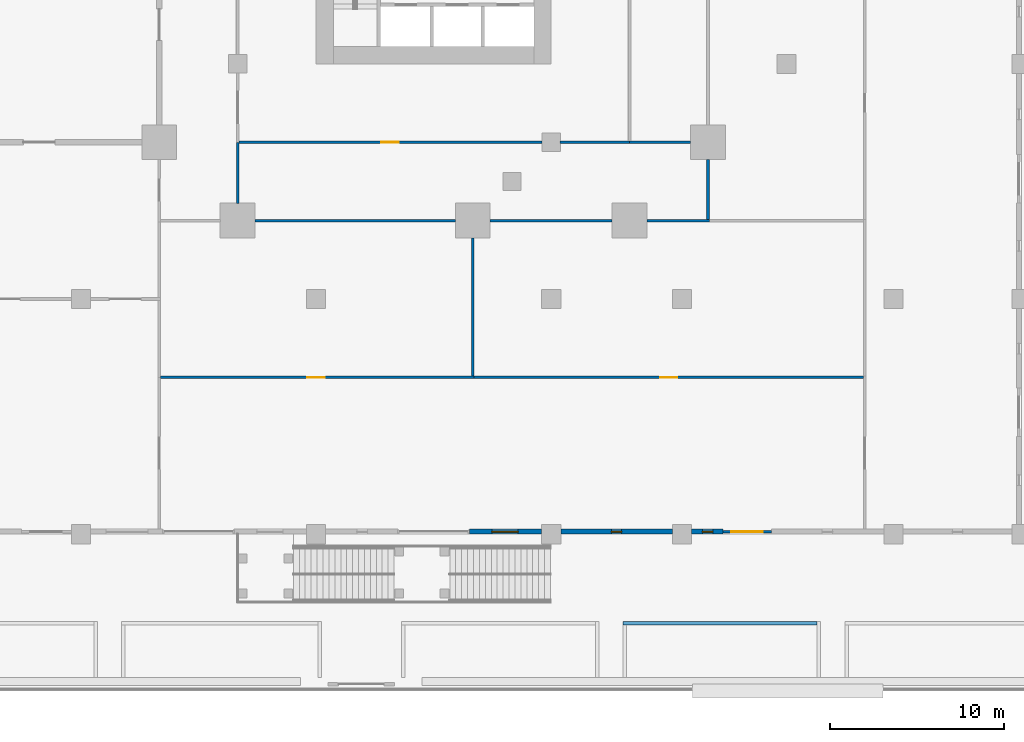
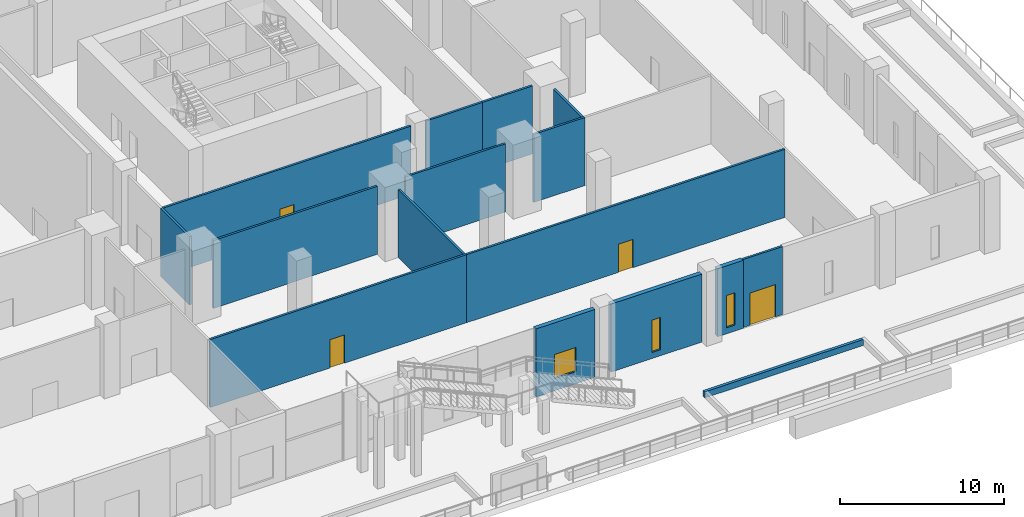
# One storey, part 29 of 47: 16 walls, 4 doors, 3 windows, 7 openings.
"""IFC4 building model written with IfcOpenShell, lengths in metres."""

from ifc_helpers import new_model, si_unit, direction, frame, frame_2d, origin, place, context, subcontext, project, spatial, rectangle, extrude, material, layer, layer_set, type_object, element, fill, save


model = new_model("IFC4")

# Units and contexts
model_context = context("Model", 3, precision=1e-05, world=origin(), true_north=direction((0.0, 1.0)))
body_context = subcontext(model_context, "Body", "Model", "MODEL_VIEW")
ifc_project = project(units=[si_unit("LENGTHUNIT", "METRE"), si_unit("AREAUNIT", "SQUARE_METRE"), si_unit("VOLUMEUNIT", "CUBIC_METRE"), si_unit("PLANEANGLEUNIT", "RADIAN"), si_unit("MASSUNIT", "GRAM", prefix="KILO")], contexts=[model_context])

# Site, building, storey
site_placement = place(None, origin())
site = spatial("IfcSite", under=ifc_project, at=site_placement, CompositionType="ELEMENT")
building_placement = place(site_placement, origin())
building = spatial("IfcBuilding", under=site, at=building_placement, Name="Altepetl Exchange Towers", CompositionType="ELEMENT")
storey_placement = place(building_placement, frame((0.0, 0.0, 6.0)))
storey = spatial("IfcBuildingStorey", under=building, at=storey_placement, Name="L01 Retail podium", CompositionType="ELEMENT", Elevation=6.0)

# Wall, opening, door
ifc_material_1 = material(Name="Aluminium composite cladding", Category="aluminium")
ifc_layer_1 = layer(ifc_material_1, 0.14990234375)
ifc_layer_set_1 = layer_set([ifc_layer_1], Name="Aluminium composite cladding")
wall_type_1 = type_object("IfcWallType", Name="Infill wall 150 aluminium panel", PredefinedType="SOLIDWALL", material=ifc_layer_set_1)
wall_1_placement = place(storey_placement, frame((126.85009765625, 9.14990234375, 0.0)))
wall_1 = element("IfcWall", 1, at=wall_1_placement, inside=storey, type_object=wall_type_1, Name="Door bay wall", PredefinedType="SOLIDWALL", context=body_context, shape_type="SweptSolid", body=[
    extrude(rectangle(XDim=2.7998046875, YDim=0.14990234375, at=frame_2d((1.39990234375, 0.0))), origin(), (0.0, 0.0, 1.0), 5.050048828125),
])
opening_1_placement = place(wall_1_placement, frame((0.5, 0.0, 0.0)))
opening_1 = element("IfcOpeningElement", 2, at=opening_1_placement, cuts=wall_1, Name="Opening L01.E21", PredefinedType="OPENING", context=body_context, shape_type="SweptSolid", body=[
    extrude(rectangle(XDim=1.800048828125, YDim=2.39990234375, at=frame_2d((0.89990234375, 1.199951171875))), frame((0.0, 0.0849609375, 0.0), z_axis=(0.0, -1.0, 0.0), x_axis=(1.0, 0.0, 0.0)), (0.0, 0.0, 1.0), 0.169921875),
])
ifc_material_2 = material(Name="Aluminium 6063-T6 and glass", Category="aluminium")
door_type_1 = type_object("IfcDoorType", Name="Glazed door pair 1800x2400", OperationType="DOUBLE_DOOR_DOUBLE_SWING", PredefinedType="NOTDEFINED", material=ifc_material_2)
door_1_placement = place(opening_1_placement, frame((1.800048828125, 0.0, 0.0), x_axis=(-1.0, 0.0, 0.0)))
door_1 = element("IfcDoor", 3, at=door_1_placement, inside=storey, type_object=door_type_1, Name="Terrace door", OperationType="DOUBLE_DOOR_DOUBLE_SWING", OverallHeight=2.39990234375, OverallWidth=1.800048828125, PredefinedType="NOTDEFINED", context=body_context, shape_type="SweptSolid", body=[
    extrude(rectangle(XDim=1.800048828125, YDim=2.39990234375, at=frame_2d((0.89990234375, 1.199951171875))), frame((0.0, 0.02490234375, 0.0), z_axis=(0.0, -1.0, 0.0), x_axis=(1.0, 0.0, 0.0)), (0.0, 0.0, 1.0), 0.050048828125),
])
fill(opening_1, door_1)

# Wall
ifc_material_3 = material(Name="Reinforced concrete C35/45", Category="concrete")
ifc_layer_2 = layer(ifc_material_3, 0.199951171875)
ifc_layer_set_2 = layer_set([ifc_layer_2], Name="Reinforced concrete C35/45")
wall_type_2 = type_object("IfcWallType", Name="Planting bed curb 200", PredefinedType="SOLIDWALL", material=ifc_layer_set_2)
wall_2_placement = place(storey_placement, frame((121.13330078125, 3.875, 0.0)))
element("IfcWall", 4, at=wall_2_placement, inside=storey, type_object=wall_type_2, Name="wall:P:L01:CB02n", PredefinedType="SOLIDWALL", context=body_context, shape_type="SweptSolid", body=[
    extrude(rectangle(XDim=11.13330078125, YDim=0.199951171875, at=frame_2d((5.566650390625, 0.0))), origin(), (0.0, 0.0, 1.0), 0.449951171875),
])

# Wall, opening, door
ifc_material_4 = material(Name="Gypsum board on steel studs", Category="steel")
ifc_layer_3 = layer(ifc_material_4, 0.14990234375)
ifc_layer_set_3 = layer_set([ifc_layer_3], Name="Gypsum board on steel studs")
wall_type_3 = type_object("IfcWallType", Name="Podium partition 150", PredefinedType="PARTITIONING", material=ifc_layer_set_3)
wall_3_placement = place(storey_placement, frame((94.574951171875, 18.0, 0.0)))
wall_3 = element("IfcWall", 5, at=wall_3_placement, inside=storey, type_object=wall_type_3, Name="wall:P:L01:P054", PredefinedType="PARTITIONING", context=body_context, shape_type="SweptSolid", body=[
    extrude(rectangle(XDim=18.0, YDim=0.14990234375, at=frame_2d((9.0, 0.0))), origin(), (0.0, 0.0, 1.0), 5.050048828125),
])
opening_2_placement = place(wall_3_placement, frame((8.425048828125, 0.0, 0.0)))
opening_2 = element("IfcOpeningElement", 6, at=opening_2_placement, cuts=wall_3, Name="Opening L01.P017", PredefinedType="OPENING", context=body_context, shape_type="SweptSolid", body=[
    extrude(rectangle(XDim=1.0, YDim=2.10009765625, at=frame_2d((0.5, 1.050048828125))), frame((0.0, 0.0849609375, 0.0), z_axis=(0.0, -1.0, 0.0), x_axis=(1.0, 0.0, 0.0)), (0.0, 0.0, 1.0), 0.169921875),
])
ifc_material_5 = material(Name="Steel and timber fire door", Category="steel")
door_type_2 = type_object("IfcDoorType", Name="Podium fire door 1000 x 2100 single leaf", OperationType="SINGLE_SWING_LEFT", PredefinedType="DOOR", material=ifc_material_5)
door_2_placement = place(opening_2_placement, origin())
door_2 = element("IfcDoor", 7, at=door_2_placement, inside=storey, type_object=door_type_2, Name="door:P:L01:017", OperationType="SINGLE_SWING_RIGHT", OverallHeight=2.10009765625, OverallWidth=1.0, PredefinedType="DOOR", context=body_context, shape_type="SweptSolid", body=[
    extrude(rectangle(XDim=1.0, YDim=2.10009765625, at=frame_2d((0.5, 1.050048828125))), frame((0.0, 0.02490234375, 0.0), z_axis=(0.0, -1.0, 0.0), x_axis=(1.0, 0.0, 0.0)), (0.0, 0.0, 1.0), 0.050048828125),
])
fill(opening_2, door_2)

wall_4_placement = place(storey_placement, frame((112.5, 18.0, 0.0)))
wall_4 = element("IfcWall", 8, at=wall_4_placement, inside=storey, type_object=wall_type_3, Name="wall:P:L01:P055", PredefinedType="PARTITIONING", context=body_context, shape_type="SweptSolid", body=[
    extrude(rectangle(XDim=22.425048828125, YDim=0.14990234375, at=frame_2d((11.21240234375, 0.0))), origin(), (0.0, 0.0, 1.0), 5.050048828125),
])
opening_3_placement = place(wall_4_placement, frame((10.75, 0.0, 0.0)))
opening_3 = element("IfcOpeningElement", 9, at=opening_3_placement, cuts=wall_4, Name="Opening L01.P018", PredefinedType="OPENING", context=body_context, shape_type="SweptSolid", body=[
    extrude(rectangle(XDim=1.0, YDim=2.10009765625, at=frame_2d((0.5, 1.050048828125))), frame((0.0, 0.0849609375, 0.0), z_axis=(0.0, -1.0, 0.0), x_axis=(1.0, 0.0, 0.0)), (0.0, 0.0, 1.0), 0.169921875),
])
door_3_placement = place(opening_3_placement, origin())
door_3 = element("IfcDoor", 10, at=door_3_placement, inside=storey, type_object=door_type_2, Name="door:P:L01:018", OperationType="SINGLE_SWING_LEFT", OverallHeight=2.10009765625, OverallWidth=1.0, PredefinedType="DOOR", context=body_context, shape_type="SweptSolid", body=[
    extrude(rectangle(XDim=1.0, YDim=2.10009765625, at=frame_2d((0.5, 1.050048828125))), frame((0.0, 0.02490234375, 0.0), z_axis=(0.0, -1.0, 0.0), x_axis=(1.0, 0.0, 0.0)), (0.0, 0.0, 1.0), 0.050048828125),
])
fill(opening_3, door_3)

# Wall
wall_5_placement = place(storey_placement, frame((99.0, 27.9951171875, 0.0), z_axis=(0.0, 0.0, 1.0), x_axis=(0.0, 1.0, 0.0)))
element("IfcWall", 11, at=wall_5_placement, inside=storey, type_object=wall_type_3, Name="wall:P:L01:P125", PredefinedType="PARTITIONING", context=body_context, shape_type="SweptSolid", body=[
    extrude(rectangle(XDim=3.5048828125, YDim=0.14990234375, at=frame_2d((1.75244140625, 0.0))), origin(), (0.0, 0.0, 1.0), 5.050048828125),
])

# Wall, opening, door
wall_6_placement = place(storey_placement, frame((99.074951171875, 31.5, 0.0)))
wall_6 = element("IfcWall", 12, at=wall_6_placement, inside=storey, type_object=wall_type_3, Name="wall:P:L01:P129", PredefinedType="PARTITIONING", context=body_context, shape_type="SweptSolid", body=[
    extrude(rectangle(XDim=17.405029296875, YDim=0.14990234375, at=frame_2d((8.70263671875, 0.0))), origin(), (0.0, 0.0, 1.0), 5.050048828125),
])
opening_4_placement = place(wall_6_placement, frame((8.175048828125, 0.0, 0.0)))
opening_4 = element("IfcOpeningElement", 13, at=opening_4_placement, cuts=wall_6, Name="Opening L01.P014", PredefinedType="OPENING", context=body_context, shape_type="SweptSolid", body=[
    extrude(rectangle(XDim=1.0, YDim=2.10009765625, at=frame_2d((0.5, 1.050048828125))), frame((0.0, 0.0849609375, 0.0), z_axis=(0.0, -1.0, 0.0), x_axis=(1.0, 0.0, 0.0)), (0.0, 0.0, 1.0), 0.169921875),
])
door_4_placement = place(opening_4_placement, frame((1.0, 0.0, 0.0), x_axis=(-1.0, 0.0, 0.0)))
door_4 = element("IfcDoor", 14, at=door_4_placement, inside=storey, type_object=door_type_2, Name="door:P:L01:014", OperationType="SINGLE_SWING_LEFT", OverallHeight=2.10009765625, OverallWidth=1.0, PredefinedType="DOOR", context=body_context, shape_type="SweptSolid", body=[
    extrude(rectangle(XDim=1.0, YDim=2.10009765625, at=frame_2d((0.5, 1.050048828125))), frame((0.0, 0.02490234375, 0.0), z_axis=(0.0, -1.0, 0.0), x_axis=(1.0, 0.0, 0.0)), (0.0, 0.0, 1.0), 0.050048828125),
])
fill(opening_4, door_4)

# Walls
wall_7_placement = place(storey_placement, frame((117.52001953125, 31.5, 0.0)))
element("IfcWall", 15, at=wall_7_placement, inside=storey, type_object=wall_type_3, Name="wall:P:L01:P130", PredefinedType="PARTITIONING", context=body_context, shape_type="SweptSolid", body=[
    extrude(rectangle(XDim=4.054931640625, YDim=0.14990234375, at=frame_2d((2.02734375, 0.0))), origin(), (0.0, 0.0, 1.0), 5.050048828125),
])
wall_8_placement = place(storey_placement, frame((121.5, 31.5, 0.0)))
element("IfcWall", 16, at=wall_8_placement, inside=storey, type_object=wall_type_3, Name="wall:P:L01:P135", PredefinedType="PARTITIONING", context=body_context, shape_type="SweptSolid", body=[
    extrude(rectangle(XDim=3.5048828125, YDim=0.14990234375, at=frame_2d((1.75244140625, 0.0))), origin(), (0.0, 0.0, 1.0), 5.050048828125),
])
wall_9_placement = place(storey_placement, frame((99.9951171875, 27.0, 0.0)))
element("IfcWall", 17, at=wall_9_placement, inside=storey, type_object=wall_type_3, Name="wall:P:L01:P136", PredefinedType="PARTITIONING", context=body_context, shape_type="SweptSolid", body=[
    extrude(rectangle(XDim=11.509765625, YDim=0.14990234375, at=frame_2d((5.7548828125, 0.0))), origin(), (0.0, 0.0, 1.0), 5.050048828125),
])
wall_10_placement = place(storey_placement, frame((113.4951171875, 27.0, 0.0)))
element("IfcWall", 18, at=wall_10_placement, inside=storey, type_object=wall_type_3, Name="wall:P:L01:P137", PredefinedType="PARTITIONING", context=body_context, shape_type="SweptSolid", body=[
    extrude(rectangle(XDim=7.009765625, YDim=0.14990234375, at=frame_2d((3.5048828125, 0.0))), origin(), (0.0, 0.0, 1.0), 5.050048828125),
])
wall_11_placement = place(storey_placement, frame((122.4951171875, 27.0, 0.0)))
element("IfcWall", 19, at=wall_11_placement, inside=storey, type_object=wall_type_3, Name="wall:P:L01:P138", PredefinedType="PARTITIONING", context=body_context, shape_type="SweptSolid", body=[
    extrude(rectangle(XDim=3.579833984375, YDim=0.14990234375, at=frame_2d((1.7900390625, 0.0))), origin(), (0.0, 0.0, 1.0), 5.050048828125),
])
wall_12_placement = place(storey_placement, frame((126.0, 27.074951171875, 0.0), z_axis=(0.0, 0.0, 1.0), x_axis=(0.0, 1.0, 0.0)))
element("IfcWall", 20, at=wall_12_placement, inside=storey, type_object=wall_type_3, Name="wall:P:L01:P139", PredefinedType="PARTITIONING", context=body_context, shape_type="SweptSolid", body=[
    extrude(rectangle(XDim=3.429931640625, YDim=0.14990234375, at=frame_2d((1.71484375, 0.0))), origin(), (0.0, 0.0, 1.0), 5.050048828125),
])
wall_13_placement = place(storey_placement, frame((112.5, 18.074951171875, 0.0), z_axis=(0.0, 0.0, 1.0), x_axis=(0.0, 1.0, 0.0)))
element("IfcWall", 21, at=wall_13_placement, inside=storey, type_object=wall_type_3, Name="wall:P:L01:P148", PredefinedType="PARTITIONING", context=body_context, shape_type="SweptSolid", body=[
    extrude(rectangle(XDim=7.929931640625, YDim=0.14990234375, at=frame_2d((3.96484375, 0.0))), origin(), (0.0, 0.0, 1.0), 5.050048828125),
])

# Wall, opening, window
ifc_material_6 = material(Name="Cantera limestone cladding", Category="masonry")
ifc_layer_4 = layer(ifc_material_6, 0.300048828125)
ifc_layer_set_4 = layer_set([ifc_layer_4], Name="Cantera limestone cladding")
wall_type_4 = type_object("IfcWallType", Name="Stone wall panel 300", PredefinedType="ELEMENTEDWALL", material=ifc_layer_set_4)
wall_14_placement = place(storey_placement, frame((112.300048828125, 9.14990234375, 0.0)))
wall_14 = element("IfcWall", 22, at=wall_14_placement, inside=storey, type_object=wall_type_4, Name="Stone wall panel", PredefinedType="ELEMENTEDWALL", context=body_context, shape_type="SweptSolid", body=[
    extrude(rectangle(XDim=4.14990234375, YDim=0.300048828125, at=frame_2d((2.074951171875, 0.0))), origin(), (0.0, 0.0, 1.0), 5.050048828125),
])
opening_5_placement = place(wall_14_placement, frame((1.300048828125, 0.0, 0.89990234375)))
opening_5 = element("IfcOpeningElement", 23, at=opening_5_placement, cuts=wall_14, Name="Opening W2", PredefinedType="OPENING", context=body_context, shape_type="SweptSolid", body=[
    extrude(rectangle(XDim=1.5, YDim=1.800048828125, at=frame_2d((0.75, 0.89990234375))), frame((0.0, 0.16015625, 0.0), z_axis=(0.0, -1.0, 0.0), x_axis=(1.0, 0.0, 0.0)), (0.0, 0.0, 1.0), 0.320068359375),
])
ifc_material_7 = material(Name="Timber and glass", Category="wood")
window_type_1 = type_object("IfcWindowType", Name="Punched window 1500x1800", PartitioningType="SINGLE_PANEL", PredefinedType="WINDOW", material=ifc_material_7)
window_1_placement = place(opening_5_placement, origin())
window_1 = element("IfcWindow", 24, at=window_1_placement, inside=storey, type_object=window_type_1, Name="Window", OverallHeight=1.800048828125, OverallWidth=1.5, PartitioningType="SINGLE_PANEL", PredefinedType="WINDOW", context=body_context, shape_type="SweptSolid", body=[
    extrude(rectangle(XDim=1.5, YDim=1.800048828125, at=frame_2d((0.75, 0.89990234375))), frame((0.0, 0.030029296875, 0.0), z_axis=(0.0, -1.0, 0.0), x_axis=(1.0, 0.0, 0.0)), (0.0, 0.0, 1.0), 0.06005859375),
])
fill(opening_5, window_1)

wall_15_placement = place(storey_placement, frame((117.550048828125, 9.14990234375, 0.0)))
wall_15 = element("IfcWall", 25, at=wall_15_placement, inside=storey, type_object=wall_type_4, Name="Stone wall panel", PredefinedType="ELEMENTEDWALL", context=body_context, shape_type="SweptSolid", body=[
    extrude(rectangle(XDim=6.39990234375, YDim=0.300048828125, at=frame_2d((3.199951171875, 0.0))), origin(), (0.0, 0.0, 1.0), 5.050048828125),
])
opening_6_placement = place(wall_15_placement, frame((2.89990234375, 0.0, 0.449951171875)))
opening_6 = element("IfcOpeningElement", 26, at=opening_6_placement, cuts=wall_15, Name="Opening W3", PredefinedType="OPENING", context=body_context, shape_type="SweptSolid", body=[
    extrude(rectangle(XDim=0.60009765625, YDim=2.39990234375, at=frame_2d((0.300048828125, 1.199951171875))), frame((0.0, 0.16015625, 0.0), z_axis=(0.0, -1.0, 0.0), x_axis=(1.0, 0.0, 0.0)), (0.0, 0.0, 1.0), 0.320068359375),
])
window_type_2 = type_object("IfcWindowType", Name="Tall slot window 600x2400", PartitioningType="SINGLE_PANEL", PredefinedType="WINDOW", material=ifc_material_2)
window_2_placement = place(opening_6_placement, origin())
window_2 = element("IfcWindow", 27, at=window_2_placement, inside=storey, type_object=window_type_2, Name="Window", OverallHeight=2.39990234375, OverallWidth=0.60009765625, PartitioningType="SINGLE_PANEL", PredefinedType="WINDOW", context=body_context, shape_type="SweptSolid", body=[
    extrude(rectangle(XDim=0.60009765625, YDim=2.39990234375, at=frame_2d((0.300048828125, 1.199951171875))), frame((0.0, 0.030029296875, 0.0), z_axis=(0.0, -1.0, 0.0), x_axis=(1.0, 0.0, 0.0)), (0.0, 0.0, 1.0), 0.06005859375),
])
fill(opening_6, window_2)

wall_16_placement = place(storey_placement, frame((125.050048828125, 9.14990234375, 0.0)))
wall_16 = element("IfcWall", 28, at=wall_16_placement, inside=storey, type_object=wall_type_4, Name="Stone wall panel", PredefinedType="ELEMENTEDWALL", context=body_context, shape_type="SweptSolid", body=[
    extrude(rectangle(XDim=1.800048828125, YDim=0.300048828125, at=frame_2d((0.89990234375, 0.0))), origin(), (0.0, 0.0, 1.0), 5.050048828125),
])
opening_7_placement = place(wall_16_placement, frame((0.625, 0.0, 0.449951171875)))
opening_7 = element("IfcOpeningElement", 29, at=opening_7_placement, cuts=wall_16, Name="Opening W3", PredefinedType="OPENING", context=body_context, shape_type="SweptSolid", body=[
    extrude(rectangle(XDim=0.60009765625, YDim=2.39990234375, at=frame_2d((0.300048828125, 1.199951171875))), frame((0.0, 0.16015625, 0.0), z_axis=(0.0, -1.0, 0.0), x_axis=(1.0, 0.0, 0.0)), (0.0, 0.0, 1.0), 0.320068359375),
])
window_3_placement = place(opening_7_placement, origin())
window_3 = element("IfcWindow", 30, at=window_3_placement, inside=storey, type_object=window_type_2, Name="Window", OverallHeight=2.39990234375, OverallWidth=0.60009765625, PartitioningType="SINGLE_PANEL", PredefinedType="WINDOW", context=body_context, shape_type="SweptSolid", body=[
    extrude(rectangle(XDim=0.60009765625, YDim=2.39990234375, at=frame_2d((0.300048828125, 1.199951171875))), frame((0.0, 0.030029296875, 0.0), z_axis=(0.0, -1.0, 0.0), x_axis=(1.0, 0.0, 0.0)), (0.0, 0.0, 1.0), 0.06005859375),
])
fill(opening_7, window_3)

save(model, "model.ifc")
